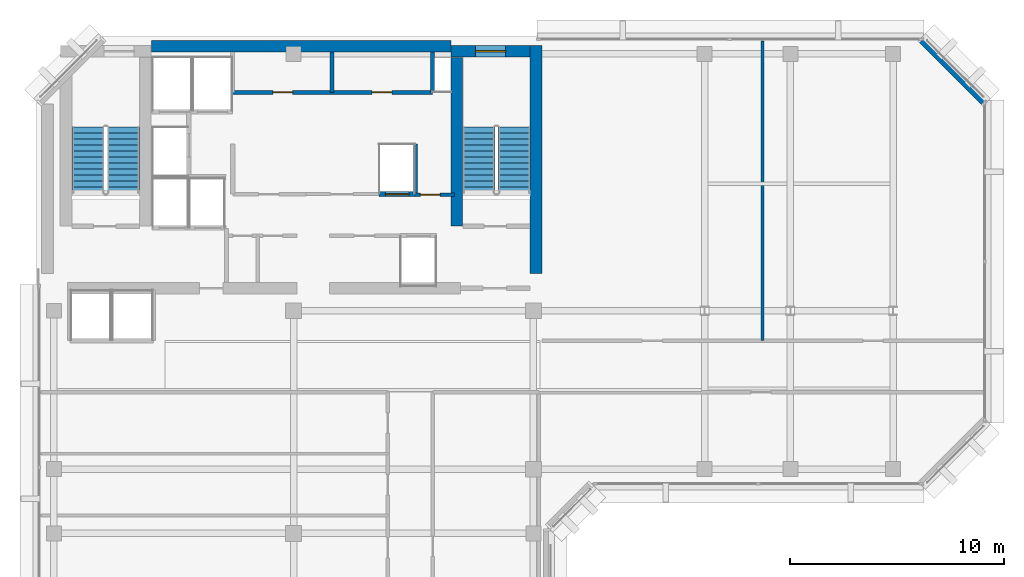
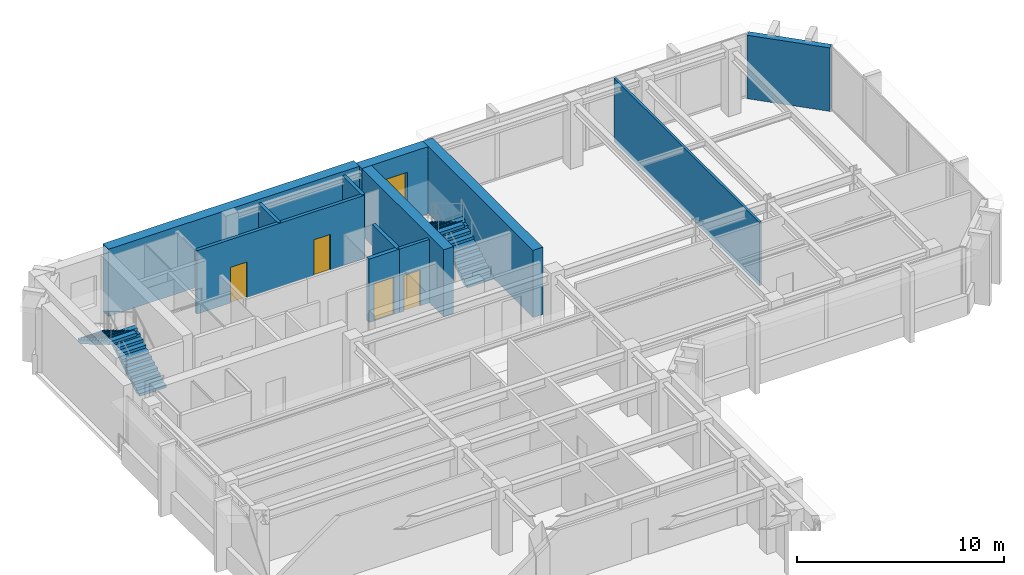
# One storey, part 8 of 11: 12 walls, 4 doors, 4 stair flights, 1 window, 5 openings, 2 elements without a shape of their own.
"""IFC4 building model written with IfcOpenShell, lengths in metres."""

from ifc_helpers import new_model, si_unit, direction, frame, frame_2d, origin, place, context, subcontext, project, spatial, polyline, rectangle, outline, extrude, material, layer, layer_set, type_object, element, fill, aggregate, save


model = new_model("IFC4")

# Units and contexts
model_context = context("Model", 3, precision=1e-05, world=origin(), true_north=direction((0.0, 1.0)))
body_context = subcontext(model_context, "Body", "Model", "MODEL_VIEW")
ifc_project = project(units=[si_unit("LENGTHUNIT", "METRE"), si_unit("AREAUNIT", "SQUARE_METRE"), si_unit("VOLUMEUNIT", "CUBIC_METRE"), si_unit("PLANEANGLEUNIT", "RADIAN"), si_unit("MASSUNIT", "GRAM", prefix="KILO")], contexts=[model_context])

# Site, building, storey
site_placement = place(None, origin())
site = spatial("IfcSite", under=ifc_project, at=site_placement, CompositionType="ELEMENT")
building_placement = place(site_placement, origin())
building = spatial("IfcBuilding", under=site, at=building_placement, Name="Kefirva Bronze Tower", CompositionType="ELEMENT")
storey_placement = place(building_placement, frame((0.0, 0.0, 276.2099609375)))
storey = spatial("IfcBuildingStorey", under=building, at=storey_placement, Name="L67", CompositionType="ELEMENT", Elevation=276.2099609375)

# Walls
ifc_material_1 = material(Name="Gypsum acoustic partition")
ifc_layer_1 = layer(ifc_material_1, 0.1298828125, Name="Gypsum acoustic partition")
ifc_layer_set_1 = layer_set([ifc_layer_1], Name="Gypsum acoustic partition")
wall_type_1 = type_object("IfcWallType", Name="Acoustic Office Partition 130mm", PredefinedType="PARTITIONING", material=ifc_layer_set_1)
wall_1_placement = place(storey_placement, frame((33.905029296875, 31.800048828125, 0.0), z_axis=(0.0, 0.0, 1.0), x_axis=(0.0, 1.0, 0.0)))
element("IfcWall", 1, at=wall_1_placement, inside=storey, type_object=wall_type_1, Name="L67 Partition W-L67-END1", PredefinedType="PARTITIONING", context=body_context, shape_type="SweptSolid", body=[
    extrude(rectangle(XDim=14.010009765625, YDim=0.1298828125, at=frame_2d((7.0048828125, 0.0))), origin(), (0.0, 0.0, 1.0), 3.739990234375),
])
ifc_material_2 = material(Name="Gypsum fireboard shaftwall")
ifc_layer_2 = layer(ifc_material_2, 0.219970703125, Name="Gypsum fireboard shaftwall")
ifc_layer_set_2 = layer_set([ifc_layer_2], Name="Gypsum fireboard shaftwall")
wall_type_2 = type_object("IfcWallType", Name="Fire-Rated Shaft Enclosure Wall 220mm", PredefinedType="PARTITIONING", material=ifc_layer_set_2)
wall_2_placement = place(storey_placement, frame((17.679931640625, 38.64990234375, 0.0), z_axis=(0.0, 0.0, 1.0), x_axis=(0.0, 1.0, 0.0)))
element("IfcWall", 2, at=wall_2_placement, inside=storey, type_object=wall_type_2, Name="L67 Partition W-L67-HP2E", PredefinedType="PARTITIONING", context=body_context, shape_type="SweptSolid", body=[
    extrude(rectangle(XDim=2.35009765625, YDim=0.199951171875, at=frame_2d((1.175048828125, 0.0))), origin(), (0.0, 0.0, 1.0), 3.739990234375),
])

# Wall, opening, door
wall_3_placement = place(storey_placement, frame((15.97998046875, 38.64990234375, 0.0), z_axis=(0.0, 0.0, 1.0), x_axis=(1.0, 0.0, 0.0)))
wall_3 = element("IfcWall", 3, at=wall_3_placement, inside=storey, type_object=wall_type_2, Name="L67 Partition W-L67-HPN", PredefinedType="PARTITIONING", context=body_context, shape_type="SweptSolid", body=[
    extrude(rectangle(XDim=1.719970703125, YDim=0.219970703125, at=frame_2d((0.85986328125, 0.0))), origin(), (0.0, 0.0, 1.0), 3.739990234375),
])
opening_1_placement = place(wall_3_placement, frame((0.300048828125, 0.0, 0.0)))
opening_1 = element("IfcOpeningElement", 4, at=opening_1_placement, cuts=wall_3, Name="Opening L67-LD-HP2", PredefinedType="OPENING", context=body_context, shape_type="SweptSolid", body=[
    extrude(rectangle(XDim=1.10009765625, YDim=2.199951171875, at=frame_2d((0.550048828125, 1.10009765625))), frame((0.0, 0.1201171875, 0.0), z_axis=(0.0, -1.0, 0.0), x_axis=(1.0, 0.0, 0.0)), (0.0, 0.0, 1.0), 0.239990234375),
])
ifc_material_3 = material(Name="Stainless steel 316", Category="steel")
door_type_1 = type_object("IfcDoorType", Name="Passenger Lift Sliding Landing Door 1100x2200", OperationType="SLIDING_TO_LEFT", PredefinedType="DOOR", material=ifc_material_3)
door_1_placement = place(opening_1_placement, origin())
door_1 = element("IfcDoor", 5, at=door_1_placement, inside=storey, type_object=door_type_1, Name="Door L67-LD-HP2", OperationType="SLIDING_TO_LEFT", OverallHeight=2.199951171875, OverallWidth=1.10009765625, PredefinedType="DOOR", context=body_context, shape_type="SweptSolid", body=[
    extrude(rectangle(XDim=1.10009765625, YDim=2.199951171875, at=frame_2d((0.550048828125, 1.10009765625))), frame((0.0, 0.02490234375, 0.0), z_axis=(0.0, -1.0, 0.0), x_axis=(1.0, 0.0, 0.0)), (0.0, 0.0, 1.0), 0.050048828125),
])
fill(opening_1, door_1)

ifc_material_4 = material(Name="Gypsum fireboard barrier")
ifc_layer_3 = layer(ifc_material_4, 0.199951171875, Name="Gypsum fireboard barrier")
ifc_layer_set_3 = layer_set([ifc_layer_3], Name="Gypsum fireboard barrier")
wall_type_3 = type_object("IfcWallType", Name="Firefighting Lobby Barrier Wall 200mm", PredefinedType="PARTITIONING", material=ifc_layer_set_3)
wall_4_placement = place(storey_placement, frame((17.679931640625, 38.6201171875, 0.0), z_axis=(0.0, 0.0, 1.0), x_axis=(1.0, 0.0, 0.0)))
wall_4 = element("IfcWall", 6, at=wall_4_placement, inside=storey, type_object=wall_type_3, Name="L67 Partition W-L67-CPASS", PredefinedType="PARTITIONING", context=body_context, shape_type="SweptSolid", body=[
    extrude(rectangle(XDim=1.840087890625, YDim=0.179931640625, at=frame_2d((0.919921875, 0.0))), origin(), (0.0, 0.0, 1.0), 3.739990234375),
])
opening_2_placement = place(wall_4_placement, frame((0.239990234375, 0.0, 0.0)))
opening_2 = element("IfcOpeningElement", 7, at=opening_2_placement, cuts=wall_4, Name="Opening L67-D-CPAS", PredefinedType="OPENING", context=body_context, shape_type="SweptSolid", body=[
    extrude(rectangle(XDim=0.919921875, YDim=2.10009765625, at=frame_2d((0.4599609375, 1.050048828125))), frame((0.0, 0.10009765625, 0.0), z_axis=(0.0, -1.0, 0.0), x_axis=(1.0, 0.0, 0.0)), (0.0, 0.0, 1.0), 0.199951171875),
])
ifc_material_5 = material(Name="Moisture-resistant timber", Category="wood")
door_type_2 = type_object("IfcDoorType", Name="Accessible Sanitary & WC Door 920x2100", OperationType="NOTDEFINED", PredefinedType="DOOR", material=ifc_material_5)
door_2_placement = place(opening_2_placement, origin())
door_2 = element("IfcDoor", 8, at=door_2_placement, inside=storey, type_object=door_type_2, Name="Door L67-D-CPAS", OperationType="SINGLE_SWING_LEFT", OverallHeight=2.10009765625, OverallWidth=0.919921875, PredefinedType="DOOR", context=body_context, shape_type="SweptSolid", body=[
    extrude(rectangle(XDim=0.919921875, YDim=2.10009765625, at=frame_2d((0.4599609375, 1.050048828125))), frame((0.0, 0.02490234375, 0.0), z_axis=(0.0, -1.0, 0.0), x_axis=(1.0, 0.0, 0.0)), (0.0, 0.0, 1.0), 0.050048828125),
])
fill(opening_2, door_2)

# Walls
ifc_material_6 = material(Name="Precast concrete C40/50", Category="concrete")
ifc_layer_4 = layer(ifc_material_6, 0.320068359375, Name="Precast concrete C40/50")
ifc_layer_set_4 = layer_set([ifc_layer_4], Name="Precast concrete C40/50")
wall_type_4 = type_object("IfcWallType", Name="Precast Insulated Exterior Wall 320mm", PredefinedType="SOLIDWALL", material=ifc_layer_set_4)
wall_5_placement = place(storey_placement, frame((44.248046875, 42.92578125, 0.0), z_axis=(0.0, 0.0, 1.0), x_axis=(-0.707136318428, 0.707077242712, 0.0)))
element("IfcWall", 9, at=wall_5_placement, inside=storey, type_object=wall_type_4, Name="L67 Exterior Facade Wall 5", PredefinedType="SOLIDWALL", context=body_context, shape_type="SweptSolid", body=[
    extrude(rectangle(XDim=4.132568359375, YDim=0.320068359375, at=frame_2d((2.06640625, 0.0))), origin(), (0.0, 0.0, 1.0), 3.739990234375),
])
ifc_material_7 = material(Name="Concrete C50/60", Category="concrete")
ifc_layer_5 = layer(ifc_material_7, 0.550048828125, Name="Concrete C50/60")
ifc_layer_set_5 = layer_set([ifc_layer_5], Name="Concrete C50/60")
wall_type_5 = type_object("IfcWallType", Name="RC Rear Core Exterior Wall 550mm", PredefinedType="SHEAR", material=ifc_layer_set_5)
wall_6_placement = place(storey_placement, frame((5.360107421875, 45.550048828125, 0.0), z_axis=(0.0, 0.0, 1.0), x_axis=(1.0, 0.0, 0.0)))
element("IfcWall", 10, at=wall_6_placement, inside=storey, type_object=wall_type_5, Name="L67 Rear Core North Shear Wall", PredefinedType="SHEAR", context=body_context, shape_type="SweptSolid", body=[
    extrude(rectangle(XDim=13.97998046875, YDim=0.550048828125, at=frame_2d((6.989990234375, 0.0))), origin(), (0.0, 0.0, 1.0), 3.9599609375),
])

# Wall, opening, window
wall_7_placement = place(storey_placement, frame((19.35009765625, 45.320068359375, 0.0), z_axis=(0.0, 0.0, 1.0), x_axis=(1.0, 0.0, 0.0)))
wall_7 = element("IfcWall", 11, at=wall_7_placement, inside=storey, type_object=wall_type_5, Name="L67 Stair 2 North Shear Wall", PredefinedType="SHEAR", context=body_context, shape_type="SweptSolid", body=[
    extrude(rectangle(XDim=3.68994140625, YDim=0.550048828125, at=frame_2d((1.844970703125, 0.0))), origin(), (0.0, 0.0, 1.0), 3.9599609375),
])
opening_3_placement = place(wall_7_placement, frame((1.14990234375, 0.0, 1.050048828125)))
opening_3 = element("IfcOpeningElement", 12, at=opening_3_placement, cuts=wall_7, Name="Opening WN-03", PredefinedType="OPENING", context=body_context, shape_type="SweptSolid", body=[
    extrude(rectangle(XDim=1.39990234375, YDim=1.800048828125, at=frame_2d((0.699951171875, 0.89990234375))), frame((0.0, 0.28515625, 0.0), z_axis=(0.0, -1.0, 0.0), x_axis=(1.0, 0.0, 0.0)), (0.0, 0.0, 1.0), 0.570068359375),
])
ifc_material_8 = material(Name="Laminated low-E double glazing", Category="glass")
window_type = type_object("IfcWindowType", Name="Rear-Core Stair Daylight Window 1400x1800", PartitioningType="SINGLE_PANEL", PredefinedType="WINDOW", material=ifc_material_8)
window_placement = place(opening_3_placement, origin())
window = element("IfcWindow", 13, at=window_placement, inside=storey, type_object=window_type, Name="L67 Stair 2 Daylight Window", OverallHeight=1.800048828125, OverallWidth=1.39990234375, PartitioningType="SINGLE_PANEL", PredefinedType="WINDOW", context=body_context, shape_type="SweptSolid", body=[
    extrude(rectangle(XDim=1.39990234375, YDim=1.800048828125, at=frame_2d((0.699951171875, 0.89990234375))), frame((0.0, 0.030029296875, 0.0), z_axis=(0.0, -1.0, 0.0), x_axis=(1.0, 0.0, 0.0)), (0.0, 0.0, 1.0), 0.06005859375),
])
fill(opening_3, window)

# Walls
ifc_layer_6 = layer(ifc_material_7, 0.550048828125, Name="Concrete C50/60")
ifc_layer_set_6 = layer_set([ifc_layer_6], Name="Concrete C50/60")
wall_type_6 = type_object("IfcWallType", Name="RC Rear Core Interior Wall 550mm", PredefinedType="SHEAR", material=ifc_layer_set_6)
wall_8_placement = place(storey_placement, frame((23.324951171875, 34.949951171875, 0.0), z_axis=(0.0, 0.0, 1.0), x_axis=(0.0, 1.0, 0.0)))
element("IfcWall", 14, at=wall_8_placement, inside=storey, type_object=wall_type_6, Name="L67 Rear Core East Shear Wall", PredefinedType="SHEAR", context=body_context, shape_type="SweptSolid", body=[
    extrude(rectangle(XDim=10.64013671875, YDim=0.550048828125, at=frame_2d((5.320068359375, 0.0))), origin(), (0.0, 0.0, 1.0), 3.9599609375),
])
wall_9_placement = place(storey_placement, frame((19.6201171875, 37.14990234375, 0.0), z_axis=(0.0, 0.0, 1.0), x_axis=(0.0, 1.0, 0.0)))
element("IfcWall", 15, at=wall_9_placement, inside=storey, type_object=wall_type_6, Name="L67 Stair 2 West Shear Wall", PredefinedType="SHEAR", context=body_context, shape_type="SweptSolid", body=[
    extrude(rectangle(XDim=7.89013671875, YDim=0.550048828125, at=frame_2d((3.945068359375, 0.0))), origin(), (0.0, 0.0, 1.0), 3.9599609375),
])

# Wall, openings, doors
ifc_material_9 = material(Name="Moisture-resistant partition")
ifc_layer_7 = layer(ifc_material_9, 0.179931640625, Name="Moisture-resistant partition")
ifc_layer_set_7 = layer_set([ifc_layer_7], Name="Moisture-resistant partition")
wall_type_7 = type_object("IfcWallType", Name="Sanitary Plumbing Chase Wall 180mm", PredefinedType="PLUMBINGWALL", material=ifc_layer_set_7)
wall_10_placement = place(storey_placement, frame((9.14990234375, 43.39990234375, 0.0), z_axis=(0.0, 0.0, 1.0), x_axis=(1.0, 0.0, 0.0)))
wall_10 = element("IfcWall", 16, at=wall_10_placement, inside=storey, type_object=wall_type_7, Name="L67 Partition W-L67-SVCS", PredefinedType="PLUMBINGWALL", context=body_context, shape_type="SweptSolid", body=[
    extrude(rectangle(XDim=9.330078125, YDim=0.179931640625, at=frame_2d((4.6650390625, 0.0))), origin(), (0.0, 0.0, 1.0), 3.739990234375),
])
opening_4_placement = place(wall_10_placement, frame((1.8798828125, 0.0, 0.0)))
opening_4 = element("IfcOpeningElement", 17, at=opening_4_placement, cuts=wall_10, Name="Opening L67-D-CSVC1", PredefinedType="OPENING", context=body_context, shape_type="SweptSolid", body=[
    extrude(rectangle(XDim=0.919921875, YDim=2.10009765625, at=frame_2d((0.4599609375, 1.050048828125))), frame((0.0, 0.10009765625, 0.0), z_axis=(0.0, -1.0, 0.0), x_axis=(1.0, 0.0, 0.0)), (0.0, 0.0, 1.0), 0.199951171875),
])
opening_5_placement = place(wall_10_placement, frame((6.514892578125, 0.0, 0.0)))
opening_5 = element("IfcOpeningElement", 18, at=opening_5_placement, cuts=wall_10, Name="Opening L67-D-CSVC2", PredefinedType="OPENING", context=body_context, shape_type="SweptSolid", body=[
    extrude(rectangle(XDim=0.919921875, YDim=2.10009765625, at=frame_2d((0.4599609375, 1.050048828125))), frame((0.0, 0.10009765625, 0.0), z_axis=(0.0, -1.0, 0.0), x_axis=(1.0, 0.0, 0.0)), (0.0, 0.0, 1.0), 0.199951171875),
])
door_3_placement = place(opening_4_placement, origin())
door_3 = element("IfcDoor", 19, at=door_3_placement, inside=storey, type_object=door_type_2, Name="Door L67-D-CSVC1", OperationType="SINGLE_SWING_LEFT", OverallHeight=2.10009765625, OverallWidth=0.919921875, PredefinedType="DOOR", context=body_context, shape_type="SweptSolid", body=[
    extrude(rectangle(XDim=0.919921875, YDim=2.10009765625, at=frame_2d((0.4599609375, 1.050048828125))), frame((0.0, 0.02490234375, 0.0), z_axis=(0.0, -1.0, 0.0), x_axis=(1.0, 0.0, 0.0)), (0.0, 0.0, 1.0), 0.050048828125),
])
fill(opening_4, door_3)
door_4_placement = place(opening_5_placement, origin())
door_4 = element("IfcDoor", 20, at=door_4_placement, inside=storey, type_object=door_type_2, Name="Door L67-D-CSVC2", OperationType="SINGLE_SWING_RIGHT", OverallHeight=2.10009765625, OverallWidth=0.919921875, PredefinedType="DOOR", context=body_context, shape_type="SweptSolid", body=[
    extrude(rectangle(XDim=0.919921875, YDim=2.10009765625, at=frame_2d((0.4599609375, 1.050048828125))), frame((0.0, 0.02490234375, 0.0), z_axis=(0.0, -1.0, 0.0), x_axis=(1.0, 0.0, 0.0)), (0.0, 0.0, 1.0), 0.050048828125),
])
fill(opening_5, door_4)

# Walls
for number, where, z_axis, x_axis, name in (
    (21, (18.47998046875, 43.39990234375, 0.0), (0.0, 0.0, 1.0), (0.0, 1.0, 0.0), "L67 Partition W-L67-SVCE"),
    (22, (13.800048828125, 43.39990234375, 0.0), (0.0, 0.0, 1.0), (0.0, 1.0, 0.0), "L67 Partition W-L67-CSVD-1"),
):
    element("IfcWall", number, at=place(storey_placement, frame(where, z_axis=z_axis, x_axis=x_axis)), inside=storey, type_object=wall_type_7, Name=name, PredefinedType="PLUMBINGWALL", context=body_context, shape_type="SweptSolid", body=[
        extrude(rectangle(XDim=1.880126953125, YDim=0.179931640625, at=frame_2d((0.93994140625, 0.0))), origin(), (0.0, 0.0, 1.0), 3.739990234375),
    ])

# Stair, stair flights
ifc_material_10 = material(Name="Concrete C40/50", Category="concrete")
stair_type = type_object("IfcStairType", Name="RC Dogleg Protected Stair 24R", PredefinedType="HALF_TURN_STAIR", material=ifc_material_10)
stair_1_placement = place(storey_placement, origin())
stair_1 = element("IfcStair", 23, at=stair_1_placement, inside=storey, type_object=stair_type, Name="L67 Protected Exit Stair 1", PredefinedType="HALF_TURN_STAIR")
stair_flight_type = type_object("IfcStairFlightType", Name="RC Straight Stair Flight 24R", PredefinedType="STRAIGHT", material=ifc_material_10)
stair_flight_1_placement = place(storey_placement, frame((4.050048828125, 38.699951171875, 0.0), z_axis=(0.0, 0.0, 1.0), x_axis=(0.0, 1.0, 0.0)))
stair_flight_1 = element("IfcStairFlight", 24, at=stair_flight_1_placement, type_object=stair_flight_type, Name="ST-1 flight 1", NumberOfRisers=12, NumberOfTreads=11, PredefinedType="STRAIGHT", RiserHeight=0.165, TreadLength=0.28, context=body_context, shape_type="SweptSolid", body=[
    extrude(outline(polyline([(0.0, 0.0), (0.0, 0.1650390625), (0.280029296875, 0.1650390625), (0.280029296875, 0.330078125), (0.56005859375, 0.330078125), (0.56005859375, 0.4951171875), (0.840087890625, 0.4951171875), (0.840087890625, 0.659912109375), (1.1201171875, 0.659912109375), (1.1201171875, 0.824951171875), (1.39990234375, 0.824951171875), (1.39990234375, 0.989990234375), (1.679931640625, 0.989990234375), (1.679931640625, 1.155029296875), (1.9599609375, 1.155029296875), (1.9599609375, 1.320068359375), (2.239990234375, 1.320068359375), (2.239990234375, 1.485107421875), (2.52001953125, 1.485107421875), (2.52001953125, 1.64990234375), (2.800048828125, 1.64990234375), (2.800048828125, 1.81494140625), (3.080078125, 1.81494140625), (3.080078125, 1.97998046875), (3.080078125, 1.64111328125), (0.295166015625, 0.0), (0.0, 0.0)])), frame((0.0, 0.75, 0.0), z_axis=(0.0, -1.0, 0.0), x_axis=(1.0, 0.0, 0.0)), (0.0, 0.0, 1.0), 1.5),
])
stair_flight_2_placement = place(storey_placement, frame((2.39990234375, 41.780029296875, 1.97998046875), z_axis=(0.0, 0.0, 1.0), x_axis=(0.0, -1.0, 0.0)))
stair_flight_2 = element("IfcStairFlight", 25, at=stair_flight_2_placement, type_object=stair_flight_type, Name="ST-1 flight 2", NumberOfRisers=12, NumberOfTreads=11, PredefinedType="STRAIGHT", RiserHeight=0.165, TreadLength=0.28, context=body_context, shape_type="SweptSolid", body=[
    extrude(outline(polyline([(0.0, 0.0), (0.0, 0.1650390625), (0.280029296875, 0.1650390625), (0.280029296875, 0.330078125), (0.56005859375, 0.330078125), (0.56005859375, 0.4951171875), (0.840087890625, 0.4951171875), (0.840087890625, 0.659912109375), (1.1201171875, 0.659912109375), (1.1201171875, 0.824951171875), (1.39990234375, 0.824951171875), (1.39990234375, 0.989990234375), (1.679931640625, 0.989990234375), (1.679931640625, 1.155029296875), (1.9599609375, 1.155029296875), (1.9599609375, 1.320068359375), (2.239990234375, 1.320068359375), (2.239990234375, 1.485107421875), (2.52001953125, 1.485107421875), (2.52001953125, 1.64990234375), (2.800048828125, 1.64990234375), (2.800048828125, 1.81494140625), (3.080078125, 1.81494140625), (3.080078125, 1.97998046875), (3.080078125, 1.64111328125), (0.295166015625, 0.0), (0.0, 0.0)])), frame((0.0, 0.75, 0.0), z_axis=(0.0, -1.0, 0.0), x_axis=(1.0, 0.0, 0.0)), (0.0, 0.0, 1.0), 1.5),
])
aggregate(stair_1, [stair_flight_1, stair_flight_2])

stair_2_placement = place(storey_placement, origin())
stair_2 = element("IfcStair", 26, at=stair_2_placement, inside=storey, type_object=stair_type, Name="L67 Protected Exit Stair 2", PredefinedType="HALF_TURN_STAIR")
stair_flight_3_placement = place(storey_placement, frame((22.300048828125, 38.699951171875, 0.0), z_axis=(0.0, 0.0, 1.0), x_axis=(0.0, 1.0, 0.0)))
stair_flight_3 = element("IfcStairFlight", 27, at=stair_flight_3_placement, type_object=stair_flight_type, Name="ST-2 flight 1", NumberOfRisers=12, NumberOfTreads=11, PredefinedType="STRAIGHT", RiserHeight=0.165, TreadLength=0.28, context=body_context, shape_type="SweptSolid", body=[
    extrude(outline(polyline([(0.0, 0.0), (0.0, 0.1650390625), (0.280029296875, 0.1650390625), (0.280029296875, 0.330078125), (0.56005859375, 0.330078125), (0.56005859375, 0.4951171875), (0.840087890625, 0.4951171875), (0.840087890625, 0.659912109375), (1.1201171875, 0.659912109375), (1.1201171875, 0.824951171875), (1.39990234375, 0.824951171875), (1.39990234375, 0.989990234375), (1.679931640625, 0.989990234375), (1.679931640625, 1.155029296875), (1.9599609375, 1.155029296875), (1.9599609375, 1.320068359375), (2.239990234375, 1.320068359375), (2.239990234375, 1.485107421875), (2.52001953125, 1.485107421875), (2.52001953125, 1.64990234375), (2.800048828125, 1.64990234375), (2.800048828125, 1.81494140625), (3.080078125, 1.81494140625), (3.080078125, 1.97998046875), (3.080078125, 1.64111328125), (0.295166015625, 0.0), (0.0, 0.0)])), frame((0.0, 0.75, 0.0), z_axis=(0.0, -1.0, 0.0), x_axis=(1.0, 0.0, 0.0)), (0.0, 0.0, 1.0), 1.5),
])
stair_flight_4_placement = place(storey_placement, frame((20.64990234375, 41.780029296875, 1.97998046875), z_axis=(0.0, 0.0, 1.0), x_axis=(0.0, -1.0, 0.0)))
stair_flight_4 = element("IfcStairFlight", 28, at=stair_flight_4_placement, type_object=stair_flight_type, Name="ST-2 flight 2", NumberOfRisers=12, NumberOfTreads=11, PredefinedType="STRAIGHT", RiserHeight=0.165, TreadLength=0.28, context=body_context, shape_type="SweptSolid", body=[
    extrude(outline(polyline([(0.0, 0.0), (0.0, 0.1650390625), (0.280029296875, 0.1650390625), (0.280029296875, 0.330078125), (0.56005859375, 0.330078125), (0.56005859375, 0.4951171875), (0.840087890625, 0.4951171875), (0.840087890625, 0.659912109375), (1.1201171875, 0.659912109375), (1.1201171875, 0.824951171875), (1.39990234375, 0.824951171875), (1.39990234375, 0.989990234375), (1.679931640625, 0.989990234375), (1.679931640625, 1.155029296875), (1.9599609375, 1.155029296875), (1.9599609375, 1.320068359375), (2.239990234375, 1.320068359375), (2.239990234375, 1.485107421875), (2.52001953125, 1.485107421875), (2.52001953125, 1.64990234375), (2.800048828125, 1.64990234375), (2.800048828125, 1.81494140625), (3.080078125, 1.81494140625), (3.080078125, 1.97998046875), (3.080078125, 1.64111328125), (0.295166015625, 0.0), (0.0, 0.0)])), frame((0.0, 0.75, 0.0), z_axis=(0.0, -1.0, 0.0), x_axis=(1.0, 0.0, 0.0)), (0.0, 0.0, 1.0), 1.5),
])
aggregate(stair_2, [stair_flight_3, stair_flight_4])

save(model, "model.ifc")
